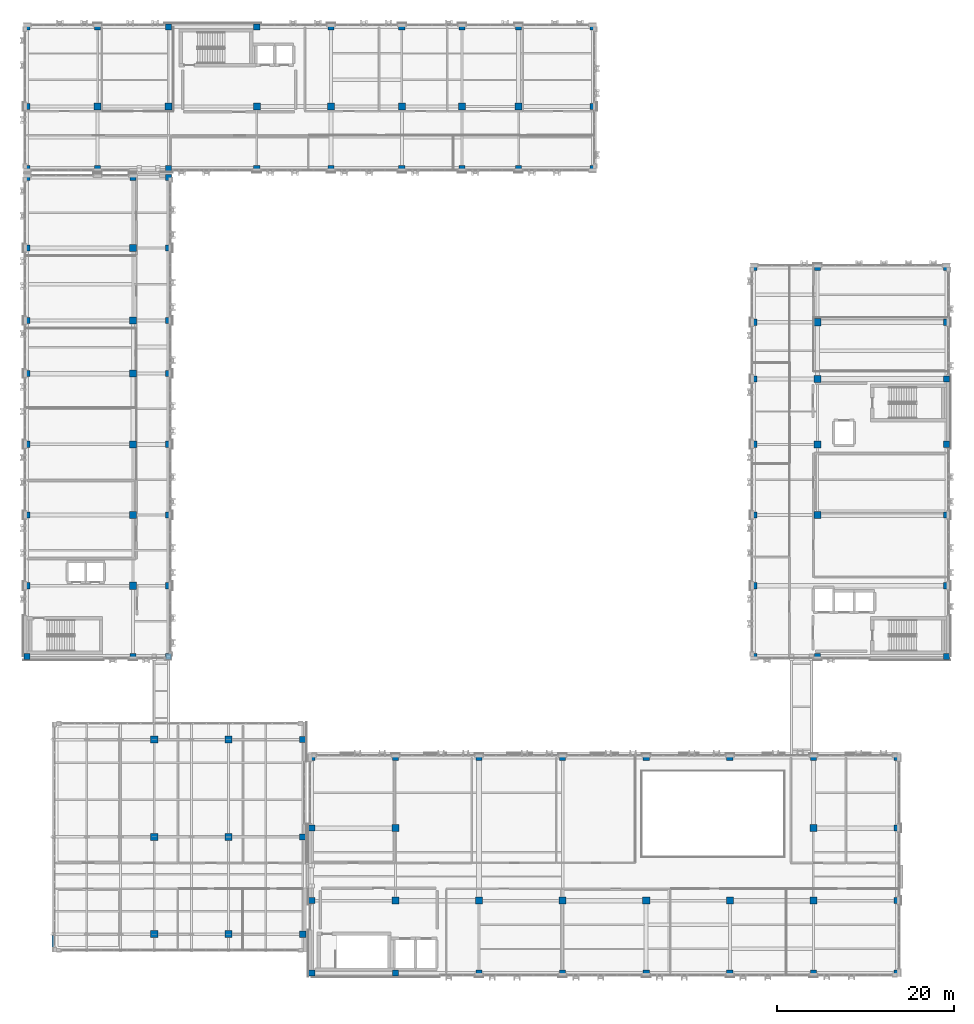
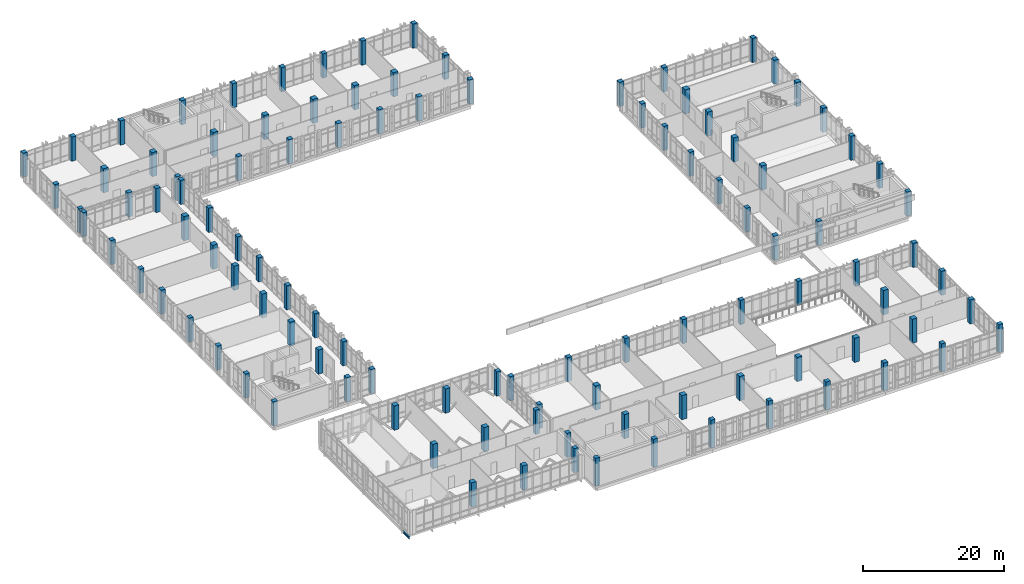
# One storey, part 1 of 158: 108 columns, 1 beam.
"""IFC4 building model written with IfcOpenShell, lengths in metres."""

from ifc_helpers import new_model, si_unit, direction, frame, origin, origin_2d, place, context, subcontext, project, spatial, rectangle, i_section, extrude, material, material_profile, profile_set, type_object, element, save


model = new_model("IFC4")

# Units and contexts
model_context = context("Model", 3, precision=1e-05, world=origin(), true_north=direction((0.0, 1.0)))
body_context = subcontext(model_context, "Body", "Model", "MODEL_VIEW")
ifc_project = project(units=[si_unit("LENGTHUNIT", "METRE"), si_unit("AREAUNIT", "SQUARE_METRE"), si_unit("VOLUMEUNIT", "CUBIC_METRE"), si_unit("PLANEANGLEUNIT", "RADIAN"), si_unit("MASSUNIT", "GRAM", prefix="KILO")], contexts=[model_context])

# Site, building, storey
site_placement = place(None, origin())
site = spatial("IfcSite", under=ifc_project, at=site_placement, CompositionType="ELEMENT")
building_placement = place(site_placement, origin())
building = spatial("IfcBuilding", under=site, at=building_placement, Name="Qalavern Law Courts", CompositionType="ELEMENT")
storey_placement = place(building_placement, frame((0.0, 0.0, 18.60009765625)))
storey = spatial("IfcBuildingStorey", under=building, at=storey_placement, Name="L04", CompositionType="ELEMENT", Elevation=18.60009765625)

# Columns
ifc_material_1 = material(Name="Concrete C45/55", Category="concrete")
ifc_material_profile_1 = material_profile(ifc_material_1, rectangle(XDim=0.699951171875, YDim=0.699951171875, at=origin_2d()), Name="RC 700x700")
ifc_profile_set_1 = profile_set([ifc_material_profile_1], Name="Concrete C45/55")
column_type_1 = type_object("IfcColumnType", Name="STR-COL-RC700E", PredefinedType="COLUMN", material=ifc_profile_set_1)
for number, where, z_axis, x_axis, name in (
    (1, (33.60009765625, 10.0, 0.0), (0.0, 0.0, 1.0), (1.0, 0.0, 0.0), "V1 column 3-1 L04"),
    (2, (33.60009765625, 21.0, 0.0), (0.0, 0.0, 1.0), (1.0, 0.0, 0.0), "V1 column 3-2 L04"),
    (3, (33.60009765625, 32.0, 0.0), (0.0, 0.0, 1.0), (1.0, 0.0, 0.0), "V1 column 3-3 L04"),
):
    element("IfcColumn", number, at=place(storey_placement, frame(where, z_axis=z_axis, x_axis=x_axis)), inside=storey, type_object=column_type_1, Name=name, PredefinedType="COLUMN", context=body_context, shape_type="SweptSolid", body=[
        extrude(rectangle(XDim=0.699951171875, YDim=0.699951171875, at=origin_2d()), origin(), (0.0, 0.0, 1.0), 4.199951171875),
    ])
column_1_placement = place(storey_placement, frame((34.6201171875, 5.60009765625, 0.0), z_axis=(0.0, 0.0, 1.0), x_axis=(1.0, 0.0, 0.0)))
element("IfcColumn", 4, at=column_1_placement, inside=storey, type_object=column_type_1, Name="V2 column 1-1 L04", PredefinedType="COLUMN", context=body_context, shape_type="SweptSolid", body=[
    extrude(rectangle(XDim=0.699951171875, YDim=0.699951171875, at=origin_2d()), origin(), (0.0, 0.0, 1.0), 4.849853515625),
])
for number, where, z_axis, x_axis, name in (
    (5, (34.6201171875, 13.800048828125, 0.0), (0.0, 0.0, 1.0), (1.0, 0.0, 0.0), "V2 column 1-2 L04"),
    (6, (34.6201171875, 22.0, 0.0), (0.0, 0.0, 1.0), (1.0, 0.0, 0.0), "V2 column 1-3 L04"),
    (7, (34.6201171875, 30.0, 0.0), (0.0, 0.0, 1.0), (1.0, 0.0, 0.0), "V2 column 1-4 L04"),
):
    element("IfcColumn", number, at=place(storey_placement, frame(where, z_axis=z_axis, x_axis=x_axis)), inside=storey, type_object=column_type_1, Name=name, PredefinedType="COLUMN", context=body_context, shape_type="SweptSolid", body=[
        extrude(rectangle(XDim=0.699951171875, YDim=0.699951171875, at=origin_2d()), origin(), (0.0, 0.0, 1.0), 4.199951171875),
    ])
column_2_placement = place(storey_placement, frame((44.07421875, 5.60009765625, 0.0), z_axis=(0.0, 0.0, 1.0), x_axis=(1.0, 0.0, 0.0)))
element("IfcColumn", 8, at=column_2_placement, inside=storey, type_object=column_type_1, Name="V2 column 2-1 L04", PredefinedType="COLUMN", context=body_context, shape_type="SweptSolid", body=[
    extrude(rectangle(XDim=0.699951171875, YDim=0.699951171875, at=origin_2d()), origin(), (0.0, 0.0, 1.0), 4.849853515625),
])
column_3_placement = place(storey_placement, frame((44.07421875, 30.0, 0.0), z_axis=(0.0, 0.0, 1.0), x_axis=(1.0, 0.0, 0.0)))
element("IfcColumn", 9, at=column_3_placement, inside=storey, type_object=column_type_1, Name="V2 column 2-4 L04", PredefinedType="COLUMN", context=body_context, shape_type="SweptSolid", body=[
    extrude(rectangle(XDim=0.699951171875, YDim=0.699951171875, at=origin_2d()), origin(), (0.0, 0.0, 1.0), 4.199951171875),
])
column_4_placement = place(storey_placement, frame((53.528564453125, 5.60009765625, 0.0), z_axis=(0.0, 0.0, 1.0), x_axis=(1.0, 0.0, 0.0)))
element("IfcColumn", 10, at=column_4_placement, inside=storey, type_object=column_type_1, Name="V2 column 3-1 L04", PredefinedType="COLUMN", context=body_context, shape_type="SweptSolid", body=[
    extrude(rectangle(XDim=0.699951171875, YDim=0.699951171875, at=origin_2d()), origin(), (0.0, 0.0, 1.0), 4.849853515625),
])
column_5_placement = place(storey_placement, frame((53.528564453125, 30.0, 0.0), z_axis=(0.0, 0.0, 1.0), x_axis=(1.0, 0.0, 0.0)))
element("IfcColumn", 11, at=column_5_placement, inside=storey, type_object=column_type_1, Name="V2 column 3-4 L04", PredefinedType="COLUMN", context=body_context, shape_type="SweptSolid", body=[
    extrude(rectangle(XDim=0.699951171875, YDim=0.699951171875, at=origin_2d()), origin(), (0.0, 0.0, 1.0), 4.199951171875),
])
column_6_placement = place(storey_placement, frame((62.98291015625, 5.60009765625, 0.0), z_axis=(0.0, 0.0, 1.0), x_axis=(1.0, 0.0, 0.0)))
element("IfcColumn", 12, at=column_6_placement, inside=storey, type_object=column_type_1, Name="V2 column 4-1 L04", PredefinedType="COLUMN", context=body_context, shape_type="SweptSolid", body=[
    extrude(rectangle(XDim=0.699951171875, YDim=0.699951171875, at=origin_2d()), origin(), (0.0, 0.0, 1.0), 4.849853515625),
])
column_7_placement = place(storey_placement, frame((62.98291015625, 30.0, 0.0), z_axis=(0.0, 0.0, 1.0), x_axis=(1.0, 0.0, 0.0)))
element("IfcColumn", 13, at=column_7_placement, inside=storey, type_object=column_type_1, Name="V2 column 4-4 L04", PredefinedType="COLUMN", context=body_context, shape_type="SweptSolid", body=[
    extrude(rectangle(XDim=0.699951171875, YDim=0.699951171875, at=origin_2d()), origin(), (0.0, 0.0, 1.0), 4.199951171875),
])
column_8_placement = place(storey_placement, frame((72.43701171875, 5.60009765625, 0.0), z_axis=(0.0, 0.0, 1.0), x_axis=(1.0, 0.0, 0.0)))
element("IfcColumn", 14, at=column_8_placement, inside=storey, type_object=column_type_1, Name="V2 column 5-1 L04", PredefinedType="COLUMN", context=body_context, shape_type="SweptSolid", body=[
    extrude(rectangle(XDim=0.699951171875, YDim=0.699951171875, at=origin_2d()), origin(), (0.0, 0.0, 1.0), 4.849853515625),
])
column_9_placement = place(storey_placement, frame((72.43701171875, 30.0, 0.0), z_axis=(0.0, 0.0, 1.0), x_axis=(1.0, 0.0, 0.0)))
element("IfcColumn", 15, at=column_9_placement, inside=storey, type_object=column_type_1, Name="V2 column 5-4 L04", PredefinedType="COLUMN", context=body_context, shape_type="SweptSolid", body=[
    extrude(rectangle(XDim=0.699951171875, YDim=0.699951171875, at=origin_2d()), origin(), (0.0, 0.0, 1.0), 4.199951171875),
])
column_10_placement = place(storey_placement, frame((81.891357421875, 5.60009765625, 0.0), z_axis=(0.0, 0.0, 1.0), x_axis=(1.0, 0.0, 0.0)))
element("IfcColumn", 16, at=column_10_placement, inside=storey, type_object=column_type_1, Name="V2 column 6-1 L04", PredefinedType="COLUMN", context=body_context, shape_type="SweptSolid", body=[
    extrude(rectangle(XDim=0.699951171875, YDim=0.699951171875, at=origin_2d()), origin(), (0.0, 0.0, 1.0), 4.849853515625),
])
column_11_placement = place(storey_placement, frame((81.891357421875, 30.0, 0.0), z_axis=(0.0, 0.0, 1.0), x_axis=(1.0, 0.0, 0.0)))
element("IfcColumn", 17, at=column_11_placement, inside=storey, type_object=column_type_1, Name="V2 column 6-4 L04", PredefinedType="COLUMN", context=body_context, shape_type="SweptSolid", body=[
    extrude(rectangle(XDim=0.699951171875, YDim=0.699951171875, at=origin_2d()), origin(), (0.0, 0.0, 1.0), 4.199951171875),
])
column_12_placement = place(storey_placement, frame((91.345703125, 5.60009765625, 0.0), z_axis=(0.0, 0.0, 1.0), x_axis=(1.0, 0.0, 0.0)))
element("IfcColumn", 18, at=column_12_placement, inside=storey, type_object=column_type_1, Name="V2 column 7-1 L04", PredefinedType="COLUMN", context=body_context, shape_type="SweptSolid", body=[
    extrude(rectangle(XDim=0.699951171875, YDim=0.699951171875, at=origin_2d()), origin(), (0.0, 0.0, 1.0), 4.849853515625),
])
column_13_placement = place(storey_placement, frame((91.345703125, 30.0, 0.0), z_axis=(0.0, 0.0, 1.0), x_axis=(1.0, 0.0, 0.0)))
element("IfcColumn", 19, at=column_13_placement, inside=storey, type_object=column_type_1, Name="V2 column 7-4 L04", PredefinedType="COLUMN", context=body_context, shape_type="SweptSolid", body=[
    extrude(rectangle(XDim=0.699951171875, YDim=0.699951171875, at=origin_2d()), origin(), (0.0, 0.0, 1.0), 4.199951171875),
])
column_14_placement = place(storey_placement, frame((100.800048828125, 5.60009765625, 0.0), z_axis=(0.0, 0.0, 1.0), x_axis=(1.0, 0.0, 0.0)))
element("IfcColumn", 20, at=column_14_placement, inside=storey, type_object=column_type_1, Name="V2 column 8-1 L04", PredefinedType="COLUMN", context=body_context, shape_type="SweptSolid", body=[
    extrude(rectangle(XDim=0.699951171875, YDim=0.699951171875, at=origin_2d()), origin(), (0.0, 0.0, 1.0), 4.849853515625),
])
for number, where, z_axis, x_axis, name in (
    (21, (100.800048828125, 13.800048828125, 0.0), (0.0, 0.0, 1.0), (1.0, 0.0, 0.0), "V2 column 8-2 L04"),
    (22, (100.800048828125, 22.0, 0.0), (0.0, 0.0, 1.0), (1.0, 0.0, 0.0), "V2 column 8-3 L04"),
    (23, (100.800048828125, 30.0, 0.0), (0.0, 0.0, 1.0), (1.0, 0.0, 0.0), "V2 column 8-4 L04"),
    (24, (2.39990234375, 41.419921875, 0.0), (0.0, 0.0, 1.0), (1.0, 0.0, 0.0), "V3 column 1-1 L04"),
    (25, (2.39990234375, 49.39990234375, 0.0), (0.0, 0.0, 1.0), (1.0, 0.0, 0.0), "V3 column 1-2 L04"),
    (26, (2.39990234375, 57.39990234375, 0.0), (0.0, 0.0, 1.0), (1.0, 0.0, 0.0), "V3 column 1-3 L04"),
    (27, (2.39990234375, 65.39990234375, 0.0), (0.0, 0.0, 1.0), (1.0, 0.0, 0.0), "V3 column 1-4 L04"),
    (28, (2.39990234375, 73.39990234375, 0.0), (0.0, 0.0, 1.0), (1.0, 0.0, 0.0), "V3 column 1-5 L04"),
    (29, (2.39990234375, 79.39990234375, 0.0), (0.0, 0.0, 1.0), (1.0, 0.0, 0.0), "V3 column 1-6 L04"),
    (30, (2.39990234375, 87.60009765625, 0.0), (0.0, 0.0, 1.0), (1.0, 0.0, 0.0), "V3 column 1-7 L04"),
    (31, (2.39990234375, 95.580078125, 0.0), (0.0, 0.0, 1.0), (1.0, 0.0, 0.0), "V3 column 1-8 L04"),
    (32, (14.39990234375, 41.419921875, 0.0), (0.0, 0.0, 1.0), (1.0, 0.0, 0.0), "V3 column 2-1 L04"),
    (33, (14.39990234375, 95.580078125, 0.0), (0.0, 0.0, 1.0), (1.0, 0.0, 0.0), "V3 column 2-8 L04"),
    (34, (18.39990234375, 41.419921875, 0.0), (0.0, 0.0, 1.0), (1.0, 0.0, 0.0), "V3 column 3-1 L04"),
    (35, (18.39990234375, 49.39990234375, 0.0), (0.0, 0.0, 1.0), (1.0, 0.0, 0.0), "V3 column 3-2 L04"),
    (36, (18.39990234375, 57.39990234375, 0.0), (0.0, 0.0, 1.0), (1.0, 0.0, 0.0), "V3 column 3-3 L04"),
    (37, (18.39990234375, 65.39990234375, 0.0), (0.0, 0.0, 1.0), (1.0, 0.0, 0.0), "V3 column 3-4 L04"),
    (38, (18.39990234375, 73.39990234375, 0.0), (0.0, 0.0, 1.0), (1.0, 0.0, 0.0), "V3 column 3-5 L04"),
    (39, (18.39990234375, 79.39990234375, 0.0), (0.0, 0.0, 1.0), (1.0, 0.0, 0.0), "V3 column 3-6 L04"),
    (40, (18.39990234375, 87.60009765625, 0.0), (0.0, 0.0, 1.0), (1.0, 0.0, 0.0), "V3 column 3-7 L04"),
    (41, (18.39990234375, 95.580078125, 0.0), (0.0, 0.0, 1.0), (1.0, 0.0, 0.0), "V3 column 3-8 L04"),
    (42, (84.60009765625, 41.419921875, 0.0), (0.0, 0.0, 1.0), (1.0, 0.0, 0.0), "V4 column 1-1 L04"),
    (43, (84.60009765625, 49.39990234375, 0.0), (0.0, 0.0, 1.0), (1.0, 0.0, 0.0), "V4 column 1-2 L04"),
    (44, (84.60009765625, 57.39990234375, 0.0), (0.0, 0.0, 1.0), (1.0, 0.0, 0.0), "V4 column 1-3 L04"),
    (45, (84.60009765625, 65.39990234375, 0.0), (0.0, 0.0, 1.0), (1.0, 0.0, 0.0), "V4 column 1-4 L04"),
    (46, (84.60009765625, 72.800048828125, 0.0), (0.0, 0.0, 1.0), (1.0, 0.0, 0.0), "V4 column 1-5 L04"),
    (47, (84.60009765625, 79.199951171875, 0.0), (0.0, 0.0, 1.0), (1.0, 0.0, 0.0), "V4 column 1-6 L04"),
    (48, (84.60009765625, 85.39990234375, 0.0), (0.0, 0.0, 1.0), (1.0, 0.0, 0.0), "V4 column 1-7 L04"),
    (49, (91.800048828125, 41.419921875, 0.0), (0.0, 0.0, 1.0), (1.0, 0.0, 0.0), "V4 column 2-1 L04"),
    (50, (91.800048828125, 85.39990234375, 0.0), (0.0, 0.0, 1.0), (1.0, 0.0, 0.0), "V4 column 2-7 L04"),
    (51, (106.39990234375, 41.419921875, 0.0), (0.0, 0.0, 1.0), (1.0, 0.0, 0.0), "V4 column 3-1 L04"),
    (52, (106.39990234375, 49.39990234375, 0.0), (0.0, 0.0, 1.0), (1.0, 0.0, 0.0), "V4 column 3-2 L04"),
    (53, (106.39990234375, 57.39990234375, 0.0), (0.0, 0.0, 1.0), (1.0, 0.0, 0.0), "V4 column 3-3 L04"),
    (54, (106.39990234375, 65.39990234375, 0.0), (0.0, 0.0, 1.0), (1.0, 0.0, 0.0), "V4 column 3-4 L04"),
    (55, (106.39990234375, 72.800048828125, 0.0), (0.0, 0.0, 1.0), (1.0, 0.0, 0.0), "V4 column 3-5 L04"),
    (56, (106.39990234375, 79.199951171875, 0.0), (0.0, 0.0, 1.0), (1.0, 0.0, 0.0), "V4 column 3-6 L04"),
    (57, (106.39990234375, 85.39990234375, 0.0), (0.0, 0.0, 1.0), (1.0, 0.0, 0.0), "V4 column 3-7 L04"),
    (58, (2.39990234375, 96.60009765625, 0.0), (0.0, 0.0, 1.0), (1.0, 0.0, 0.0), "V5 column 1-1 L04"),
    (59, (2.39990234375, 103.60009765625, 0.0), (0.0, 0.0, 1.0), (1.0, 0.0, 0.0), "V5 column 1-2 L04"),
    (60, (2.39990234375, 112.60009765625, 0.0), (0.0, 0.0, 1.0), (1.0, 0.0, 0.0), "V5 column 1-3 L04"),
    (61, (10.39990234375, 96.60009765625, 0.0), (0.0, 0.0, 1.0), (1.0, 0.0, 0.0), "V5 column 2-1 L04"),
    (62, (10.39990234375, 112.60009765625, 0.0), (0.0, 0.0, 1.0), (1.0, 0.0, 0.0), "V5 column 2-3 L04"),
    (63, (18.39990234375, 96.60009765625, 0.0), (0.0, 0.0, 1.0), (1.0, 0.0, 0.0), "V5 column 3-1 L04"),
    (64, (18.39990234375, 112.60009765625, 0.0), (0.0, 0.0, 1.0), (1.0, 0.0, 0.0), "V5 column 3-3 L04"),
    (65, (28.39990234375, 96.60009765625, 0.0), (0.0, 0.0, 1.0), (1.0, 0.0, 0.0), "V5 column 4-1 L04"),
    (66, (28.39990234375, 112.60009765625, 0.0), (0.0, 0.0, 1.0), (1.0, 0.0, 0.0), "V5 column 4-3 L04"),
    (67, (36.800048828125, 96.60009765625, 0.0), (0.0, 0.0, 1.0), (1.0, 0.0, 0.0), "V5 column 5-1 L04"),
    (68, (36.800048828125, 112.60009765625, 0.0), (0.0, 0.0, 1.0), (1.0, 0.0, 0.0), "V5 column 5-3 L04"),
    (69, (44.800048828125, 96.60009765625, 0.0), (0.0, 0.0, 1.0), (1.0, 0.0, 0.0), "V5 column 6-1 L04"),
    (70, (44.800048828125, 112.60009765625, 0.0), (0.0, 0.0, 1.0), (1.0, 0.0, 0.0), "V5 column 6-3 L04"),
    (71, (51.60009765625, 96.60009765625, 0.0), (0.0, 0.0, 1.0), (1.0, 0.0, 0.0), "V5 column 7-1 L04"),
    (72, (51.60009765625, 112.60009765625, 0.0), (0.0, 0.0, 1.0), (1.0, 0.0, 0.0), "V5 column 7-3 L04"),
    (73, (58.0, 96.60009765625, 0.0), (0.0, 0.0, 1.0), (1.0, 0.0, 0.0), "V5 column 8-1 L04"),
    (74, (58.0, 112.60009765625, 0.0), (0.0, 0.0, 1.0), (1.0, 0.0, 0.0), "V5 column 8-3 L04"),
    (75, (66.39990234375, 96.60009765625, 0.0), (0.0, 0.0, 1.0), (1.0, 0.0, 0.0), "V5 column 9-1 L04"),
    (76, (66.39990234375, 103.60009765625, 0.0), (0.0, 0.0, 1.0), (1.0, 0.0, 0.0), "V5 column 9-2 L04"),
    (77, (66.39990234375, 112.60009765625, 0.0), (0.0, 0.0, 1.0), (1.0, 0.0, 0.0), "V5 column 9-3 L04"),
):
    element("IfcColumn", number, at=place(storey_placement, frame(where, z_axis=z_axis, x_axis=x_axis)), inside=storey, type_object=column_type_1, Name=name, PredefinedType="COLUMN", context=body_context, shape_type="SweptSolid", body=[
        extrude(rectangle(XDim=0.699951171875, YDim=0.699951171875, at=origin_2d()), origin(), (0.0, 0.0, 1.0), 4.199951171875),
    ])
ifc_material_profile_2 = material_profile(ifc_material_1, rectangle(XDim=0.800048828125, YDim=0.800048828125, at=origin_2d()), Name="RC 800x800")
ifc_profile_set_2 = profile_set([ifc_material_profile_2], Name="Concrete C45/55")
column_type_2 = type_object("IfcColumnType", Name="STR-COL-RC800", PredefinedType="COLUMN", material=ifc_profile_set_2)
for number, where, z_axis, x_axis, name in (
    (78, (16.800048828125, 10.0, 0.0), (0.0, 0.0, 1.0), (1.0, 0.0, 0.0), "V1 column 1-1 L04"),
    (79, (16.800048828125, 21.0, 0.0), (0.0, 0.0, 1.0), (1.0, 0.0, 0.0), "V1 column 1-2 L04"),
    (80, (16.800048828125, 32.0, 0.0), (0.0, 0.0, 1.0), (1.0, 0.0, 0.0), "V1 column 1-3 L04"),
    (81, (25.199951171875, 10.0, 0.0), (0.0, 0.0, 1.0), (1.0, 0.0, 0.0), "V1 column 2-1 L04"),
    (82, (25.199951171875, 21.0, 0.0), (0.0, 0.0, 1.0), (1.0, 0.0, 0.0), "V1 column 2-2 L04"),
    (83, (25.199951171875, 32.0, 0.0), (0.0, 0.0, 1.0), (1.0, 0.0, 0.0), "V1 column 2-3 L04"),
    (84, (44.07421875, 13.800048828125, 0.0), (0.0, 0.0, 1.0), (1.0, 0.0, 0.0), "V2 column 2-2 L04"),
    (85, (44.07421875, 22.0, 0.0), (0.0, 0.0, 1.0), (1.0, 0.0, 0.0), "V2 column 2-3 L04"),
    (86, (53.528564453125, 13.800048828125, 0.0), (0.0, 0.0, 1.0), (1.0, 0.0, 0.0), "V2 column 3-2 L04"),
    (87, (62.98291015625, 13.800048828125, 0.0), (0.0, 0.0, 1.0), (1.0, 0.0, 0.0), "V2 column 4-2 L04"),
    (88, (72.43701171875, 13.800048828125, 0.0), (0.0, 0.0, 1.0), (1.0, 0.0, 0.0), "V2 column 5-2 L04"),
    (89, (81.891357421875, 13.800048828125, 0.0), (0.0, 0.0, 1.0), (1.0, 0.0, 0.0), "V2 column 6-2 L04"),
    (90, (91.345703125, 13.800048828125, 0.0), (0.0, 0.0, 1.0), (1.0, 0.0, 0.0), "V2 column 7-2 L04"),
    (91, (91.345703125, 22.0, 0.0), (0.0, 0.0, 1.0), (1.0, 0.0, 0.0), "V2 column 7-3 L04"),
    (92, (14.39990234375, 49.39990234375, 0.0), (0.0, 0.0, 1.0), (1.0, 0.0, 0.0), "V3 column 2-2 L04"),
    (93, (14.39990234375, 57.39990234375, 0.0), (0.0, 0.0, 1.0), (1.0, 0.0, 0.0), "V3 column 2-3 L04"),
    (94, (14.39990234375, 65.39990234375, 0.0), (0.0, 0.0, 1.0), (1.0, 0.0, 0.0), "V3 column 2-4 L04"),
    (95, (14.39990234375, 73.39990234375, 0.0), (0.0, 0.0, 1.0), (1.0, 0.0, 0.0), "V3 column 2-5 L04"),
    (96, (14.39990234375, 79.39990234375, 0.0), (0.0, 0.0, 1.0), (1.0, 0.0, 0.0), "V3 column 2-6 L04"),
    (97, (14.39990234375, 87.60009765625, 0.0), (0.0, 0.0, 1.0), (1.0, 0.0, 0.0), "V3 column 2-7 L04"),
    (98, (91.800048828125, 57.39990234375, 0.0), (0.0, 0.0, 1.0), (1.0, 0.0, 0.0), "V4 column 2-3 L04"),
    (99, (91.800048828125, 65.39990234375, 0.0), (0.0, 0.0, 1.0), (1.0, 0.0, 0.0), "V4 column 2-4 L04"),
    (100, (91.800048828125, 72.800048828125, 0.0), (0.0, 0.0, 1.0), (1.0, 0.0, 0.0), "V4 column 2-5 L04"),
    (101, (91.800048828125, 79.199951171875, 0.0), (0.0, 0.0, 1.0), (1.0, 0.0, 0.0), "V4 column 2-6 L04"),
    (102, (10.39990234375, 103.60009765625, 0.0), (0.0, 0.0, 1.0), (1.0, 0.0, 0.0), "V5 column 2-2 L04"),
    (103, (18.39990234375, 103.60009765625, 0.0), (0.0, 0.0, 1.0), (1.0, 0.0, 0.0), "V5 column 3-2 L04"),
    (104, (28.39990234375, 103.60009765625, 0.0), (0.0, 0.0, 1.0), (1.0, 0.0, 0.0), "V5 column 4-2 L04"),
    (105, (36.800048828125, 103.60009765625, 0.0), (0.0, 0.0, 1.0), (1.0, 0.0, 0.0), "V5 column 5-2 L04"),
    (106, (44.800048828125, 103.60009765625, 0.0), (0.0, 0.0, 1.0), (1.0, 0.0, 0.0), "V5 column 6-2 L04"),
    (107, (51.60009765625, 103.60009765625, 0.0), (0.0, 0.0, 1.0), (1.0, 0.0, 0.0), "V5 column 7-2 L04"),
    (108, (58.0, 103.60009765625, 0.0), (0.0, 0.0, 1.0), (1.0, 0.0, 0.0), "V5 column 8-2 L04"),
):
    element("IfcColumn", number, at=place(storey_placement, frame(where, z_axis=z_axis, x_axis=x_axis)), inside=storey, type_object=column_type_2, Name=name, PredefinedType="COLUMN", context=body_context, shape_type="SweptSolid", body=[
        extrude(rectangle(XDim=0.800048828125, YDim=0.800048828125, at=origin_2d()), origin(), (0.0, 0.0, 1.0), 4.199951171875),
    ])

# Beam
ifc_material_2 = material(Name="Steel S355", Category="steel")
ifc_material_profile_3 = material_profile(ifc_material_2, i_section(OverallWidth=0.18994140625, OverallDepth=0.449951171875, WebThickness=0.009521484375, FlangeThickness=0.0146484375, FilletRadius=0.02099609375, at=origin_2d()), Name="IPE 450")
ifc_profile_set_3 = profile_set([ifc_material_profile_3], Name="Steel S355")
beam_type = type_object("IfcBeamType", Name="STR-SP-IPE450", PredefinedType="SPANDREL", material=ifc_profile_set_3)
beam_placement = place(storey_placement, frame((5.35009765625, 8.050048828125, -0.505126953125), z_axis=(0.0, 1.0, 0.0), x_axis=(-1.0, 0.0, 0.0)))
element("IfcBeam", 109, at=beam_placement, inside=storey, type_object=beam_type, Name="Foyer transverse beam L04-8.1", PredefinedType="SPANDREL", context=body_context, shape_type="SweptSolid", body=[
    extrude(i_section(OverallWidth=0.18994140625, OverallDepth=0.449951171875, WebThickness=0.009521484375, FlangeThickness=0.0146484375, FilletRadius=0.02099609375, at=origin_2d()), origin(), (0.0, 0.0, 1.0), 1.802001953125),
])

save(model, "model.ifc")
